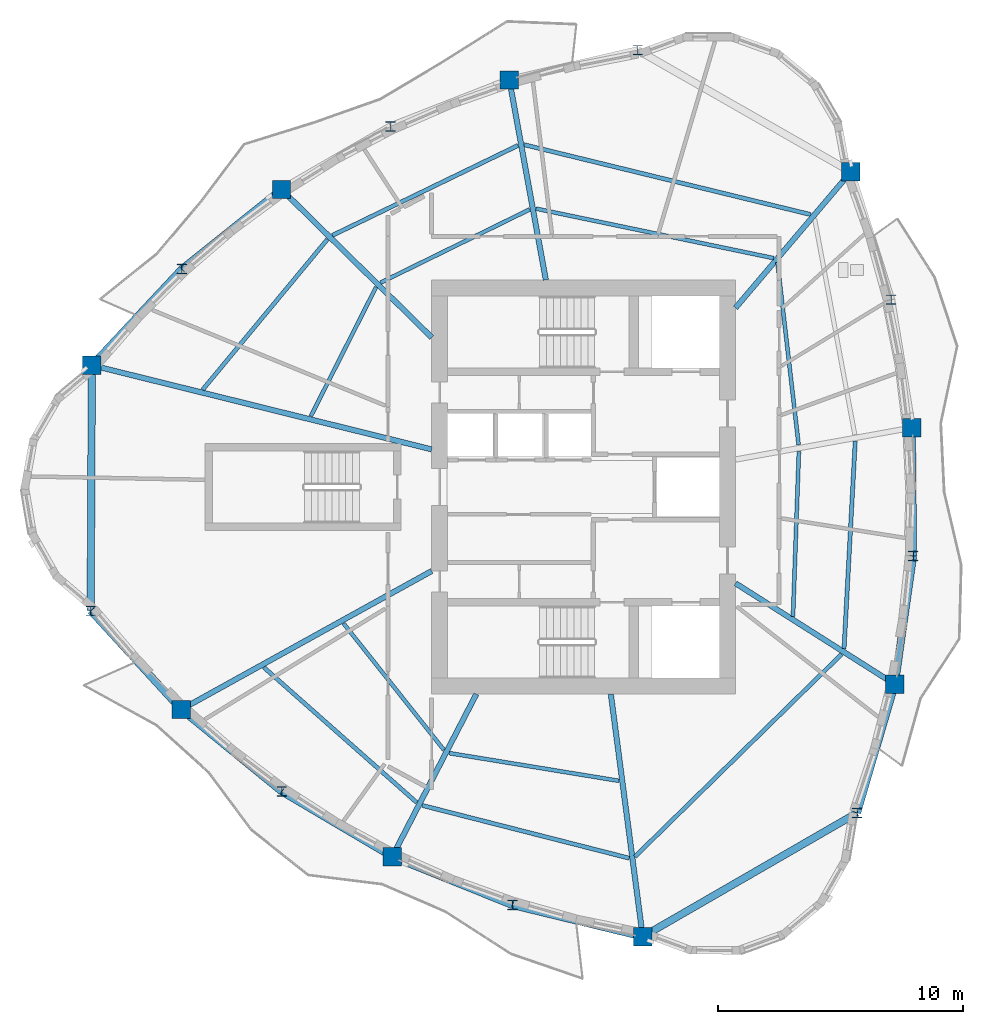
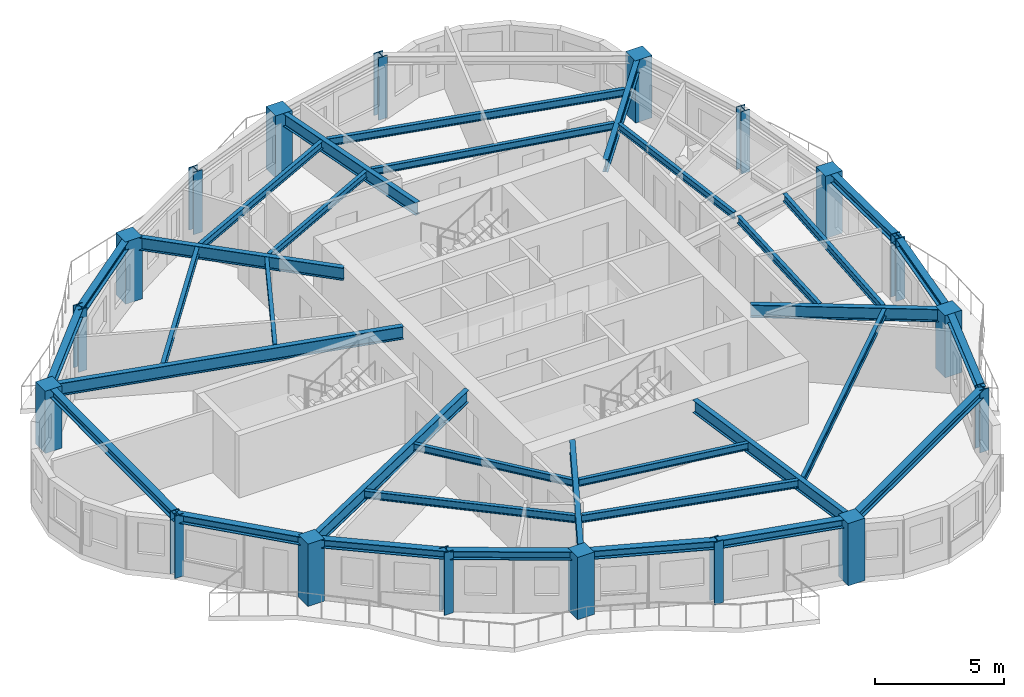
# One storey, part 1 of 12: 34 beams, 18 columns.
"""IFC4 building model written with IfcOpenShell, lengths in metres."""

from ifc_helpers import new_model, si_unit, direction, frame, origin, origin_2d, place, context, subcontext, project, spatial, rectangle, i_section, extrude, source, transform, mapped, material, material_profile, profile_set, type_object, element, save


model = new_model("IFC4")

# Units and contexts
model_context = context("Model", 3, precision=1e-05, world=origin(), true_north=direction((0.0, 1.0)))
body_context = subcontext(model_context, "Body", "Model", "MODEL_VIEW")
ifc_project = project(units=[si_unit("LENGTHUNIT", "METRE"), si_unit("AREAUNIT", "SQUARE_METRE"), si_unit("VOLUMEUNIT", "CUBIC_METRE"), si_unit("PLANEANGLEUNIT", "RADIAN"), si_unit("MASSUNIT", "GRAM", prefix="KILO")], contexts=[model_context])

# Site, building, storey
site_placement = place(None, origin())
site = spatial("IfcSite", under=ifc_project, at=site_placement, CompositionType="ELEMENT")
building_placement = place(site_placement, origin())
building = spatial("IfcBuilding", under=site, at=building_placement, Name="Qafzar Sky-Pleat Residences", CompositionType="ELEMENT")
storey_placement = place(building_placement, frame((0.0, 0.0, 171.39990234375)))
storey = spatial("IfcBuildingStorey", under=building, at=storey_placement, Name="L51", CompositionType="ELEMENT", Elevation=171.39990234375)

# Columns
ifc_material_1 = material(Name="Concrete C60/75", Category="concrete")
ifc_material_profile_1 = material_profile(ifc_material_1, rectangle(XDim=0.75, YDim=0.75, at=origin_2d()), Name="RC 750x750")
ifc_profile_set_1 = profile_set([ifc_material_profile_1], Name="Concrete C60/75")
column_type_1 = type_object("IfcColumnType", Name="COL-RC-750", PredefinedType="COLUMN", material=ifc_profile_set_1)
shared_shape_1 = source(origin(), body_context, "Body", "SweptSolid", [
    extrude(rectangle(XDim=0.75, YDim=0.75, at=origin_2d()), origin(), (0.0, 0.0, 1.0), 2.9501953125),
])
for number, where, z_axis, x_axis, name in (
    (1, (10.283203125, 30.967041015625, 0.0), (0.0, 0.0, 1.0), (1.0, 0.0, 0.0), "L51 Perimeter Mega Column 1"),
    (2, (13.931640625, 16.920166015625, 0.0), (0.0, 0.0, 1.0), (1.0, 0.0, 0.0), "L51 Perimeter Mega Column 3"),
    (3, (22.5380859375, 10.91552734375, 0.0), (0.0, 0.0, 1.0), (1.0, 0.0, 0.0), "L51 Perimeter Mega Column 5"),
    (4, (32.761962890625, 7.650390625, 0.0), (0.0, 0.0, 1.0), (1.0, 0.0, 0.0), "L51 Perimeter Mega Column 7"),
    (5, (43.050048828125, 17.948486328125, 0.0), (0.0, 0.0, 1.0), (1.0, 0.0, 0.0), "L51 Perimeter Mega Column 9"),
    (6, (43.74365234375, 28.419677734375, 0.0), (0.0, 0.0, 1.0), (1.0, 0.0, 0.0), "L51 Perimeter Mega Column 11"),
    (7, (41.25634765625, 38.860107421875, 0.0), (0.0, 0.0, 1.0), (1.0, 0.0, 0.0), "L51 Perimeter Mega Column 13"),
    (8, (27.320068359375, 42.60888671875, 0.0), (0.0, 0.0, 1.0), (1.0, 0.0, 0.0), "L51 Perimeter Mega Column 15"),
    (9, (18.02001953125, 38.142333984375, 0.0), (0.0, 0.0, 1.0), (1.0, 0.0, 0.0), "L51 Perimeter Mega Column 17"),
):
    element("IfcColumn", number, at=place(storey_placement, frame(where, z_axis=z_axis, x_axis=x_axis)), inside=storey, type_object=column_type_1, Name=name, PredefinedType="COLUMN", context=body_context, shape_type="MappedRepresentation", body=[
        mapped(shared_shape_1, transform((0.0, 0.0, 0.0), x_axis=(1.0, 0.0, 0.0), y_axis=(0.0, 1.0, 0.0), z_axis=(0.0, 0.0, 1.0), scale=1.0)),
    ])
ifc_material_2 = material(Name="Steel S355", Category="steel")
ifc_material_profile_2 = material_profile(ifc_material_2, i_section(OverallWidth=0.40087890625, OverallDepth=0.39892578125, WebThickness=0.02294921875, FlangeThickness=0.035888671875, FilletRadius=0.014892578125, at=origin_2d()), Name="HD 400x314")
ifc_profile_set_2 = profile_set([ifc_material_profile_2], Name="Steel S355")
column_type_2 = type_object("IfcColumnType", Name="COL-STL-HD314", PredefinedType="PILASTER", material=ifc_profile_set_2)
shared_shape_2 = source(origin(), body_context, "Body", "SweptSolid", [
    extrude(i_section(OverallWidth=0.40087890625, OverallDepth=0.39892578125, WebThickness=0.02294921875, FlangeThickness=0.035888671875, FilletRadius=0.014892578125, at=origin_2d()), origin(), (0.0, 0.0, 1.0), 2.9501953125),
])
for number, where, z_axis, x_axis, name in (
    (10, (10.234619140625, 20.94970703125, 0.0), (0.0, 0.0, 1.0), (1.0, 0.0, 0.0), "L51 Perimeter Mega Column 2"),
    (11, (18.03271484375, 13.575439453125, 0.0), (0.0, 0.0, 1.0), (1.0, 0.0, 0.0), "L51 Perimeter Mega Column 4"),
    (12, (27.447998046875, 8.940673828125, 0.0), (0.0, 0.0, 1.0), (1.0, 0.0, 0.0), "L51 Perimeter Mega Column 6"),
    (13, (41.51025390625, 12.701171875, 0.0), (0.0, 0.0, 1.0), (1.0, 0.0, 0.0), "L51 Perimeter Mega Column 8"),
    (14, (43.79443359375, 23.18798828125, 0.0), (0.0, 0.0, 1.0), (1.0, 0.0, 0.0), "L51 Perimeter Mega Column 10"),
    (15, (42.897705078125, 33.643798828125, 0.0), (0.0, 0.0, 1.0), (1.0, 0.0, 0.0), "L51 Perimeter Mega Column 12"),
    (16, (32.556640625, 43.82666015625, 0.0), (0.0, 0.0, 1.0), (1.0, 0.0, 0.0), "L51 Perimeter Mega Column 14"),
    (17, (22.474609375, 40.714111328125, 0.0), (0.0, 0.0, 1.0), (1.0, 0.0, 0.0), "L51 Perimeter Mega Column 16"),
    (18, (13.9560546875, 34.893310546875, 0.0), (0.0, 0.0, 1.0), (1.0, 0.0, 0.0), "L51 Perimeter Mega Column 18"),
):
    element("IfcColumn", number, at=place(storey_placement, frame(where, z_axis=z_axis, x_axis=x_axis)), inside=storey, type_object=column_type_2, Name=name, PredefinedType="PILASTER", context=body_context, shape_type="MappedRepresentation", body=[
        mapped(shared_shape_2, transform((0.0, 0.0, 0.0), x_axis=(1.0, 0.0, 0.0), y_axis=(0.0, 1.0, 0.0), z_axis=(0.0, 0.0, 1.0), scale=1.0)),
    ])

# Beams
ifc_material_profile_3 = material_profile(ifc_material_2, i_section(OverallWidth=0.300048828125, OverallDepth=0.39990234375, WebThickness=0.013427734375, FlangeThickness=0.02392578125, FilletRadius=0.027099609375, at=origin_2d()), Name="HEB 400")
ifc_profile_set_3 = profile_set([ifc_material_profile_3], Name="Steel S355")
beam_type_1 = type_object("IfcBeamType", Name="BM-SPAN-HEB400", PredefinedType="SPANDREL", material=ifc_profile_set_3)
shared_shape_3 = source(origin(), body_context, "Body", "SweptSolid", [
    extrude(i_section(OverallWidth=0.300048828125, OverallDepth=0.39990234375, WebThickness=0.013427734375, FlangeThickness=0.02392578125, FilletRadius=0.027099609375, at=origin_2d()), origin(), (0.0, 0.0, 1.0), 10.1015625),
])
beam_1_placement = place(storey_placement, frame((32.761962890625, 7.650390625, 2.748046875), z_axis=(0.866027415153, 0.499996516191, 0.0), x_axis=(-0.499996516191, 0.866027415153, 0.0)))
element("IfcBeam", 19, at=beam_1_placement, inside=storey, type_object=beam_type_1, Name="L51 Perimeter Spandrel Beam 7", PredefinedType="SPANDREL", context=body_context, shape_type="MappedRepresentation", body=[
    mapped(shared_shape_3, transform((0.0, 0.0, 0.0), x_axis=(1.0, 0.0, 0.0), y_axis=(0.0, 1.0, 0.0), z_axis=(0.0, 0.0, 1.0), scale=1.0)),
])
shared_shape_4 = source(origin(), body_context, "Body", "SweptSolid", [
    extrude(i_section(OverallWidth=0.300048828125, OverallDepth=0.39990234375, WebThickness=0.013427734375, FlangeThickness=0.02392578125, FilletRadius=0.027099609375, at=origin_2d()), origin(), (0.0, 0.0, 1.0), 10.017333984375),
])
beam_2_placement = place(storey_placement, frame((10.283203125, 30.967041015625, 2.748046875), z_axis=(-0.004849934429, -0.999988238999, 0.0), x_axis=(0.999988238999, -0.004849934429, 0.0)))
element("IfcBeam", 20, at=beam_2_placement, inside=storey, type_object=beam_type_1, Name="L51 Perimeter Spandrel Beam 1", PredefinedType="SPANDREL", context=body_context, shape_type="MappedRepresentation", body=[
    mapped(shared_shape_4, transform((0.0, 0.0, 0.0), x_axis=(1.0, 0.0, 0.0), y_axis=(0.0, 1.0, 0.0), z_axis=(0.0, 0.0, 1.0), scale=1.0)),
])
shared_shape_5 = source(origin(), body_context, "Body", "SweptSolid", [
    extrude(i_section(OverallWidth=0.300048828125, OverallDepth=0.39990234375, WebThickness=0.013427734375, FlangeThickness=0.02392578125, FilletRadius=0.027099609375, at=origin_2d()), origin(), (0.0, 0.0, 1.0), 5.468505859375),
])
for number, where, z_axis, x_axis, name in (
    (21, (10.234619140625, 20.94970703125, 2.748046875), (0.676050045545, -0.736855709022, 0.0), (0.736855709022, 0.676050045545, 0.0), "L51 Perimeter Spandrel Beam 2"),
    (22, (41.51025390625, 12.701171875, 2.748046875), (0.281571675808, 0.959540197898, 0.0), (-0.959540197898, 0.281571675808, 0.0), "L51 Perimeter Spandrel Beam 8"),
):
    element("IfcBeam", number, at=place(storey_placement, frame(where, z_axis=z_axis, x_axis=x_axis)), inside=storey, type_object=beam_type_1, Name=name, PredefinedType="SPANDREL", context=body_context, shape_type="MappedRepresentation", body=[
        mapped(shared_shape_5, transform((0.0, 0.0, 0.0), x_axis=(1.0, 0.0, 0.0), y_axis=(0.0, 1.0, 0.0), z_axis=(0.0, 0.0, 1.0), scale=1.0)),
    ])
shared_shape_6 = source(origin(), body_context, "Body", "SweptSolid", [
    extrude(i_section(OverallWidth=0.300048828125, OverallDepth=0.39990234375, WebThickness=0.013427734375, FlangeThickness=0.02392578125, FilletRadius=0.027099609375, at=origin_2d()), origin(), (0.0, 0.0, 1.0), 5.2919921875),
])
beam_3_placement = place(storey_placement, frame((13.931640625, 16.920166015625, 2.748046875), z_axis=(0.774947075878, -0.632026130463, 0.0), x_axis=(0.632026130463, 0.774947075878, 0.0)))
element("IfcBeam", 23, at=beam_3_placement, inside=storey, type_object=beam_type_1, Name="L51 Perimeter Spandrel Beam 3", PredefinedType="SPANDREL", context=body_context, shape_type="MappedRepresentation", body=[
    mapped(shared_shape_6, transform((0.0, 0.0, 0.0), x_axis=(1.0, 0.0, 0.0), y_axis=(0.0, 1.0, 0.0), z_axis=(0.0, 0.0, 1.0), scale=1.0)),
])
shared_shape_7 = source(origin(), body_context, "Body", "SweptSolid", [
    extrude(i_section(OverallWidth=0.300048828125, OverallDepth=0.39990234375, WebThickness=0.013427734375, FlangeThickness=0.02392578125, FilletRadius=0.027099609375, at=origin_2d()), origin(), (0.0, 0.0, 1.0), 5.23193359375),
])
for number, where, z_axis, x_axis, name in (
    (24, (18.03271484375, 13.575439453125, 2.748046875), (0.861123406865, -0.508395985575, 0.0), (0.508395985575, 0.861123406865, 0.0), "L51 Perimeter Spandrel Beam 4"),
    (25, (43.79443359375, 23.18798828125, 2.748046875), (-0.009706015319, 0.999952895524, 0.0), (-0.999952895524, -0.009706015319, 0.0), "L51 Perimeter Spandrel Beam 10"),
):
    element("IfcBeam", number, at=place(storey_placement, frame(where, z_axis=z_axis, x_axis=x_axis)), inside=storey, type_object=beam_type_1, Name=name, PredefinedType="SPANDREL", context=body_context, shape_type="MappedRepresentation", body=[
        mapped(shared_shape_7, transform((0.0, 0.0, 0.0), x_axis=(1.0, 0.0, 0.0), y_axis=(0.0, 1.0, 0.0), z_axis=(0.0, 0.0, 1.0), scale=1.0)),
    ])
shared_shape_8 = source(origin(), body_context, "Body", "SweptSolid", [
    extrude(i_section(OverallWidth=0.300048828125, OverallDepth=0.39990234375, WebThickness=0.013427734375, FlangeThickness=0.02392578125, FilletRadius=0.027099609375, at=origin_2d()), origin(), (0.0, 0.0, 1.0), 5.292236328125),
])
for number, where, z_axis, x_axis, name in (
    (26, (22.5380859375, 10.91552734375, 2.748046875), (0.927765514631, -0.373163703836, 0.0), (0.373163703836, 0.927765514631, 0.0), "L51 Perimeter Spandrel Beam 5"),
    (27, (43.050048828125, 17.948486328125, 2.748046875), (0.140659198893, 0.990058073937, 0.0), (-0.990058073937, 0.140659198893, 0.0), "L51 Perimeter Spandrel Beam 9"),
):
    element("IfcBeam", number, at=place(storey_placement, frame(where, z_axis=z_axis, x_axis=x_axis)), inside=storey, type_object=beam_type_1, Name=name, PredefinedType="SPANDREL", context=body_context, shape_type="MappedRepresentation", body=[
        mapped(shared_shape_8, transform((0.0, 0.0, 0.0), x_axis=(1.0, 0.0, 0.0), y_axis=(0.0, 1.0, 0.0), z_axis=(0.0, 0.0, 1.0), scale=1.0)),
    ])
shared_shape_9 = source(origin(), body_context, "Body", "SweptSolid", [
    extrude(i_section(OverallWidth=0.300048828125, OverallDepth=0.39990234375, WebThickness=0.013427734375, FlangeThickness=0.02392578125, FilletRadius=0.027099609375, at=origin_2d()), origin(), (0.0, 0.0, 1.0), 5.46826171875),
])
beam_4_placement = place(storey_placement, frame((27.447998046875, 8.940673828125, 2.748046875), z_axis=(0.971764234229, -0.235953963884, 0.0), x_axis=(0.235953963884, 0.971764234229, 0.0)))
element("IfcBeam", 28, at=beam_4_placement, inside=storey, type_object=beam_type_1, Name="L51 Perimeter Spandrel Beam 6", PredefinedType="SPANDREL", context=body_context, shape_type="MappedRepresentation", body=[
    mapped(shared_shape_9, transform((0.0, 0.0, 0.0), x_axis=(1.0, 0.0, 0.0), y_axis=(0.0, 1.0, 0.0), z_axis=(0.0, 0.0, 1.0), scale=1.0)),
])
shared_shape_10 = source(origin(), body_context, "Body", "SweptSolid", [
    extrude(i_section(OverallWidth=0.300048828125, OverallDepth=0.39990234375, WebThickness=0.013427734375, FlangeThickness=0.02392578125, FilletRadius=0.027099609375, at=origin_2d()), origin(), (0.0, 0.0, 1.0), 5.203125),
])
beam_5_placement = place(storey_placement, frame((18.02001953125, 38.142333984375, 2.748046875), z_axis=(-0.781070191817, -0.624443236375, 0.0), x_axis=(0.624443236375, -0.781070191817, 0.0)))
element("IfcBeam", 29, at=beam_5_placement, inside=storey, type_object=beam_type_1, Name="L51 Perimeter Spandrel Beam 17", PredefinedType="SPANDREL", context=body_context, shape_type="MappedRepresentation", body=[
    mapped(shared_shape_10, transform((0.0, 0.0, 0.0), x_axis=(1.0, 0.0, 0.0), y_axis=(0.0, 1.0, 0.0), z_axis=(0.0, 0.0, 1.0), scale=1.0)),
])
shared_shape_11 = source(origin(), body_context, "Body", "SweptSolid", [
    extrude(i_section(OverallWidth=0.300048828125, OverallDepth=0.39990234375, WebThickness=0.013427734375, FlangeThickness=0.02392578125, FilletRadius=0.027099609375, at=origin_2d()), origin(), (0.0, 0.0, 1.0), 5.37646484375),
])
beam_6_placement = place(storey_placement, frame((13.9560546875, 34.893310546875, 2.748046875), z_axis=(-0.683146192025, -0.730281644519, 0.0), x_axis=(0.730281644519, -0.683146192025, 0.0)))
element("IfcBeam", 30, at=beam_6_placement, inside=storey, type_object=beam_type_1, Name="L51 Perimeter Spandrel Beam 18", PredefinedType="SPANDREL", context=body_context, shape_type="MappedRepresentation", body=[
    mapped(shared_shape_11, transform((0.0, 0.0, 0.0), x_axis=(1.0, 0.0, 0.0), y_axis=(0.0, 1.0, 0.0), z_axis=(0.0, 0.0, 1.0), scale=1.0)),
])
ifc_material_profile_4 = material_profile(ifc_material_2, i_section(OverallWidth=0.219970703125, OverallDepth=0.60009765625, WebThickness=0.011962890625, FlangeThickness=0.01904296875, FilletRadius=0.02392578125, at=origin_2d()), Name="IPE 600")
ifc_profile_set_4 = profile_set([ifc_material_profile_4], Name="Steel S355")
beam_type_2 = type_object("IfcBeamType", Name="BM-SEC-IPE600", PredefinedType="BEAM", material=ifc_profile_set_4)
shared_shape_12 = source(origin(), body_context, "Body", "SweptSolid", [
    extrude(i_section(OverallWidth=0.219970703125, OverallDepth=0.60009765625, WebThickness=0.011962890625, FlangeThickness=0.01904296875, FilletRadius=0.02392578125, at=origin_2d()), origin(), (0.0, 0.0, 1.0), 14.28515625),
])
beam_7_placement = place(storey_placement, frame((10.283203125, 30.967041015625, 2.648193359375), z_axis=(0.97070485886, -0.24027500283, 0.0), x_axis=(0.24027500283, 0.97070485886, 0.0)))
element("IfcBeam", 31, at=beam_7_placement, inside=storey, type_object=beam_type_2, Name="L51 Radial Floor Girder 1", PredefinedType="BEAM", context=body_context, shape_type="MappedRepresentation", body=[
    mapped(shared_shape_12, transform((0.0, 0.0, 0.0), x_axis=(1.0, 0.0, 0.0), y_axis=(0.0, 1.0, 0.0), z_axis=(0.0, 0.0, 1.0), scale=1.0)),
])
shared_shape_13 = source(origin(), body_context, "Body", "SweptSolid", [
    extrude(i_section(OverallWidth=0.219970703125, OverallDepth=0.60009765625, WebThickness=0.011962890625, FlangeThickness=0.01904296875, FilletRadius=0.02392578125, at=origin_2d()), origin(), (0.0, 0.0, 1.0), 11.6767578125),
])
beam_8_placement = place(storey_placement, frame((13.931640625, 16.920166015625, 2.648193359375), z_axis=(0.875089622608, 0.483960899664, 0.0), x_axis=(-0.483960899664, 0.875089622608, 0.0)))
element("IfcBeam", 32, at=beam_8_placement, inside=storey, type_object=beam_type_2, Name="L51 Radial Floor Girder 3", PredefinedType="BEAM", context=body_context, shape_type="MappedRepresentation", body=[
    mapped(shared_shape_13, transform((0.0, 0.0, 0.0), x_axis=(1.0, 0.0, 0.0), y_axis=(0.0, 1.0, 0.0), z_axis=(0.0, 0.0, 1.0), scale=1.0)),
])
shared_shape_14 = source(origin(), body_context, "Body", "SweptSolid", [
    extrude(i_section(OverallWidth=0.219970703125, OverallDepth=0.60009765625, WebThickness=0.011962890625, FlangeThickness=0.01904296875, FilletRadius=0.02392578125, at=origin_2d()), origin(), (0.0, 0.0, 1.0), 7.471435546875),
])
beam_9_placement = place(storey_placement, frame((22.5380859375, 10.91552734375, 2.648193359375), z_axis=(0.459885995206, 0.887977967865, 0.0), x_axis=(-0.887977967865, 0.459885995206, 0.0)))
element("IfcBeam", 33, at=beam_9_placement, inside=storey, type_object=beam_type_2, Name="L51 Radial Floor Girder 5", PredefinedType="BEAM", context=body_context, shape_type="MappedRepresentation", body=[
    mapped(shared_shape_14, transform((0.0, 0.0, 0.0), x_axis=(1.0, 0.0, 0.0), y_axis=(0.0, 1.0, 0.0), z_axis=(0.0, 0.0, 1.0), scale=1.0)),
])
shared_shape_15 = source(origin(), body_context, "Body", "SweptSolid", [
    extrude(i_section(OverallWidth=0.219970703125, OverallDepth=0.60009765625, WebThickness=0.011962890625, FlangeThickness=0.01904296875, FilletRadius=0.02392578125, at=origin_2d()), origin(), (0.0, 0.0, 1.0), 9.98486328125),
])
beam_10_placement = place(storey_placement, frame((32.761962890625, 7.650390625, 2.648193359375), z_axis=(-0.13032484857, 0.99147134797, 0.0), x_axis=(-0.99147134797, -0.13032484857, 0.0)))
element("IfcBeam", 34, at=beam_10_placement, inside=storey, type_object=beam_type_2, Name="L51 Radial Floor Girder 7", PredefinedType="BEAM", context=body_context, shape_type="MappedRepresentation", body=[
    mapped(shared_shape_15, transform((0.0, 0.0, 0.0), x_axis=(1.0, 0.0, 0.0), y_axis=(0.0, 1.0, 0.0), z_axis=(0.0, 0.0, 1.0), scale=1.0)),
])
shared_shape_16 = source(origin(), body_context, "Body", "SweptSolid", [
    extrude(i_section(OverallWidth=0.219970703125, OverallDepth=0.60009765625, WebThickness=0.011962890625, FlangeThickness=0.01904296875, FilletRadius=0.02392578125, at=origin_2d()), origin(), (0.0, 0.0, 1.0), 7.6962890625),
])
beam_11_placement = place(storey_placement, frame((43.050048828125, 17.948486328125, 2.648193359375), z_axis=(-0.844573308828, 0.535439936888, 0.0), x_axis=(-0.535439936888, -0.844573308828, 0.0)))
element("IfcBeam", 35, at=beam_11_placement, inside=storey, type_object=beam_type_2, Name="L51 Radial Floor Girder 9", PredefinedType="BEAM", context=body_context, shape_type="MappedRepresentation", body=[
    mapped(shared_shape_16, transform((0.0, 0.0, 0.0), x_axis=(1.0, 0.0, 0.0), y_axis=(0.0, 1.0, 0.0), z_axis=(0.0, 0.0, 1.0), scale=1.0)),
])
shared_shape_17 = source(origin(), body_context, "Body", "SweptSolid", [
    extrude(i_section(OverallWidth=0.219970703125, OverallDepth=0.60009765625, WebThickness=0.011962890625, FlangeThickness=0.01904296875, FilletRadius=0.02392578125, at=origin_2d()), origin(), (0.0, 0.0, 1.0), 7.2763671875),
])
beam_12_placement = place(storey_placement, frame((41.25634765625, 38.860107421875, 2.648193359375), z_axis=(-0.64678412208, -0.76267312751, 0.0), x_axis=(0.76267312751, -0.64678412208, 0.0)))
element("IfcBeam", 36, at=beam_12_placement, inside=storey, type_object=beam_type_2, Name="L51 Radial Floor Girder 13", PredefinedType="BEAM", context=body_context, shape_type="MappedRepresentation", body=[
    mapped(shared_shape_17, transform((0.0, 0.0, 0.0), x_axis=(1.0, 0.0, 0.0), y_axis=(0.0, 1.0, 0.0), z_axis=(0.0, 0.0, 1.0), scale=1.0)),
])
shared_shape_18 = source(origin(), body_context, "Body", "SweptSolid", [
    extrude(i_section(OverallWidth=0.219970703125, OverallDepth=0.60009765625, WebThickness=0.011962890625, FlangeThickness=0.01904296875, FilletRadius=0.02392578125, at=origin_2d()), origin(), (0.0, 0.0, 1.0), 8.293701171875),
])
beam_13_placement = place(storey_placement, frame((27.320068359375, 42.60888671875, 2.648193359375), z_axis=(0.17947862419, -0.983761873351, 0.0), x_axis=(0.983761873351, 0.17947862419, 0.0)))
element("IfcBeam", 37, at=beam_13_placement, inside=storey, type_object=beam_type_2, Name="L51 Radial Floor Girder 15", PredefinedType="BEAM", context=body_context, shape_type="MappedRepresentation", body=[
    mapped(shared_shape_18, transform((0.0, 0.0, 0.0), x_axis=(1.0, 0.0, 0.0), y_axis=(0.0, 1.0, 0.0), z_axis=(0.0, 0.0, 1.0), scale=1.0)),
])
shared_shape_19 = source(origin(), body_context, "Body", "SweptSolid", [
    extrude(i_section(OverallWidth=0.219970703125, OverallDepth=0.60009765625, WebThickness=0.011962890625, FlangeThickness=0.01904296875, FilletRadius=0.02392578125, at=origin_2d()), origin(), (0.0, 0.0, 1.0), 8.603271484375),
])
beam_14_placement = place(storey_placement, frame((18.02001953125, 38.142333984375, 2.648193359375), z_axis=(0.712506139555, -0.701665875682, 0.0), x_axis=(0.701665875682, 0.712506139555, 0.0)))
element("IfcBeam", 38, at=beam_14_placement, inside=storey, type_object=beam_type_2, Name="L51 Radial Floor Girder 17", PredefinedType="BEAM", context=body_context, shape_type="MappedRepresentation", body=[
    mapped(shared_shape_19, transform((0.0, 0.0, 0.0), x_axis=(1.0, 0.0, 0.0), y_axis=(0.0, 1.0, 0.0), z_axis=(0.0, 0.0, 1.0), scale=1.0)),
])
ifc_material_profile_5 = material_profile(ifc_material_2, i_section(OverallWidth=0.169921875, OverallDepth=0.360107421875, WebThickness=0.008056640625, FlangeThickness=0.0126953125, FilletRadius=0.01806640625, at=origin_2d()), Name="IPE 360")
ifc_profile_set_5 = profile_set([ifc_material_profile_5], Name="Steel S355")
beam_type_3 = type_object("IfcBeamType", Name="BM-JST-IPE360", PredefinedType="JOIST", material=ifc_profile_set_5)
shared_shape_20 = source(origin(), body_context, "Body", "SweptSolid", [
    extrude(i_section(OverallWidth=0.169921875, OverallDepth=0.360107421875, WebThickness=0.008056640625, FlangeThickness=0.0126953125, FilletRadius=0.01806640625, at=origin_2d()), origin(), (0.0, 0.0, 1.0), 8.32080078125),
])
beam_15_placement = place(storey_placement, frame((17.302490234375, 18.638916015625, 2.76806640625), z_axis=(0.749224453308, -0.662316177189, 0.0), x_axis=(0.662316177189, 0.749224453308, 0.0)))
element("IfcBeam", 39, at=beam_15_placement, inside=storey, type_object=beam_type_3, Name="L51 Outer Secondary Floor Joist 2", PredefinedType="JOIST", context=body_context, shape_type="MappedRepresentation", body=[
    mapped(shared_shape_20, transform((0.0, 0.0, 0.0), x_axis=(1.0, 0.0, 0.0), y_axis=(0.0, 1.0, 0.0), z_axis=(0.0, 0.0, 1.0), scale=1.0)),
])
shared_shape_21 = source(origin(), body_context, "Body", "SweptSolid", [
    extrude(i_section(OverallWidth=0.169921875, OverallDepth=0.360107421875, WebThickness=0.008056640625, FlangeThickness=0.0126953125, FilletRadius=0.01806640625, at=origin_2d()), origin(), (0.0, 0.0, 1.0), 8.71630859375),
])
beam_16_placement = place(storey_placement, frame((23.7685546875, 13.00537109375, 2.76806640625), z_axis=(0.968989948873, -0.247100139585, 0.0), x_axis=(0.247100139585, 0.968989948873, 0.0)))
element("IfcBeam", 40, at=beam_16_placement, inside=storey, type_object=beam_type_3, Name="L51 Outer Secondary Floor Joist 3", PredefinedType="JOIST", context=body_context, shape_type="MappedRepresentation", body=[
    mapped(shared_shape_21, transform((0.0, 0.0, 0.0), x_axis=(1.0, 0.0, 0.0), y_axis=(0.0, 1.0, 0.0), z_axis=(0.0, 0.0, 1.0), scale=1.0)),
])
shared_shape_22 = source(origin(), body_context, "Body", "SweptSolid", [
    extrude(i_section(OverallWidth=0.169921875, OverallDepth=0.360107421875, WebThickness=0.008056640625, FlangeThickness=0.0126953125, FilletRadius=0.01806640625, at=origin_2d()), origin(), (0.0, 0.0, 1.0), 11.803466796875),
])
beam_17_placement = place(storey_placement, frame((32.44189453125, 10.91259765625, 2.76806640625), z_axis=(0.714339800736, 0.699799006205, 0.0), x_axis=(-0.699799006205, 0.714339800736, 0.0)))
element("IfcBeam", 41, at=beam_17_placement, inside=storey, type_object=beam_type_3, Name="L51 Outer Secondary Floor Joist 4", PredefinedType="JOIST", context=body_context, shape_type="MappedRepresentation", body=[
    mapped(shared_shape_22, transform((0.0, 0.0, 0.0), x_axis=(1.0, 0.0, 0.0), y_axis=(0.0, 1.0, 0.0), z_axis=(0.0, 0.0, 1.0), scale=1.0)),
])
shared_shape_23 = source(origin(), body_context, "Body", "SweptSolid", [
    extrude(i_section(OverallWidth=0.169921875, OverallDepth=0.360107421875, WebThickness=0.008056640625, FlangeThickness=0.0126953125, FilletRadius=0.01806640625, at=origin_2d()), origin(), (0.0, 0.0, 1.0), 8.479248046875),
])
beam_18_placement = place(storey_placement, frame((40.977294921875, 19.40185546875, 2.76806640625), z_axis=(0.053899219297, 0.998546380575, 0.0), x_axis=(-0.998546380575, 0.053899219297, 0.0)))
element("IfcBeam", 42, at=beam_18_placement, inside=storey, type_object=beam_type_3, Name="L51 Outer Secondary Floor Joist 5", PredefinedType="JOIST", context=body_context, shape_type="MappedRepresentation", body=[
    mapped(shared_shape_23, transform((0.0, 0.0, 0.0), x_axis=(1.0, 0.0, 0.0), y_axis=(0.0, 1.0, 0.0), z_axis=(0.0, 0.0, 1.0), scale=1.0)),
])
shared_shape_24 = source(origin(), body_context, "Body", "SweptSolid", [
    extrude(i_section(OverallWidth=0.169921875, OverallDepth=0.360107421875, WebThickness=0.008056640625, FlangeThickness=0.0126953125, FilletRadius=0.01806640625, at=origin_2d()), origin(), (0.0, 0.0, 1.0), 12.033935546875),
])
beam_19_placement = place(storey_placement, frame((39.619140625, 37.1162109375, 2.76806640625), z_axis=(-0.971554160577, 0.23681746782, 0.0), x_axis=(-0.23681746782, -0.971554160577, 0.0)))
element("IfcBeam", 43, at=beam_19_placement, inside=storey, type_object=beam_type_3, Name="L51 Outer Secondary Floor Joist 7", PredefinedType="JOIST", context=body_context, shape_type="MappedRepresentation", body=[
    mapped(shared_shape_24, transform((0.0, 0.0, 0.0), x_axis=(1.0, 0.0, 0.0), y_axis=(0.0, 1.0, 0.0), z_axis=(0.0, 0.0, 1.0), scale=1.0)),
])
shared_shape_25 = source(origin(), body_context, "Body", "SweptSolid", [
    extrude(i_section(OverallWidth=0.169921875, OverallDepth=0.360107421875, WebThickness=0.008056640625, FlangeThickness=0.0126953125, FilletRadius=0.01806640625, at=origin_2d()), origin(), (0.0, 0.0, 1.0), 8.414306640625),
])
beam_20_placement = place(storey_placement, frame((27.6748046875, 39.939208984375, 2.76806640625), z_axis=(-0.89987208616, -0.436153904661, 0.0), x_axis=(0.436153904661, -0.89987208616, 0.0)))
element("IfcBeam", 44, at=beam_20_placement, inside=storey, type_object=beam_type_3, Name="L51 Outer Secondary Floor Joist 8", PredefinedType="JOIST", context=body_context, shape_type="MappedRepresentation", body=[
    mapped(shared_shape_25, transform((0.0, 0.0, 0.0), x_axis=(1.0, 0.0, 0.0), y_axis=(0.0, 1.0, 0.0), z_axis=(0.0, 0.0, 1.0), scale=1.0)),
])
shared_shape_26 = source(origin(), body_context, "Body", "SweptSolid", [
    extrude(i_section(OverallWidth=0.169921875, OverallDepth=0.360107421875, WebThickness=0.008056640625, FlangeThickness=0.0126953125, FilletRadius=0.01806640625, at=origin_2d()), origin(), (0.0, 0.0, 1.0), 7.9697265625),
])
beam_21_placement = place(storey_placement, frame((19.895263671875, 36.106689453125, 2.76806640625), z_axis=(-0.638456278061, -0.769658093574, 0.0), x_axis=(0.769658093574, -0.638456278061, 0.0)))
element("IfcBeam", 45, at=beam_21_placement, inside=storey, type_object=beam_type_3, Name="L51 Outer Secondary Floor Joist 9", PredefinedType="JOIST", context=body_context, shape_type="MappedRepresentation", body=[
    mapped(shared_shape_26, transform((0.0, 0.0, 0.0), x_axis=(1.0, 0.0, 0.0), y_axis=(0.0, 1.0, 0.0), z_axis=(0.0, 0.0, 1.0), scale=1.0)),
])
ifc_material_profile_6 = material_profile(ifc_material_2, i_section(OverallWidth=0.159912109375, OverallDepth=0.330078125, WebThickness=0.007568359375, FlangeThickness=0.011474609375, FilletRadius=0.01806640625, at=origin_2d()), Name="IPE 330")
ifc_profile_set_6 = profile_set([ifc_material_profile_6], Name="Steel S355")
beam_type_4 = type_object("IfcBeamType", Name="BM-JST-IPE330", PredefinedType="JOIST", material=ifc_profile_set_6)
shared_shape_27 = source(origin(), body_context, "Body", "SweptSolid", [
    extrude(i_section(OverallWidth=0.159912109375, OverallDepth=0.330078125, WebThickness=0.007568359375, FlangeThickness=0.011474609375, FilletRadius=0.01806640625, at=origin_2d()), origin(), (0.0, 0.0, 1.0), 6.59228515625),
])
beam_22_placement = place(storey_placement, frame((20.555419921875, 20.43115234375, 2.783203125), z_axis=(0.621623595357, -0.783316095644, 0.0), x_axis=(0.783316095644, 0.621623595357, 0.0)))
element("IfcBeam", 46, at=beam_22_placement, inside=storey, type_object=beam_type_4, Name="L51 Inner Secondary Floor Joist 2", PredefinedType="JOIST", context=body_context, shape_type="MappedRepresentation", body=[
    mapped(shared_shape_27, transform((0.0, 0.0, 0.0), x_axis=(1.0, 0.0, 0.0), y_axis=(0.0, 1.0, 0.0), z_axis=(0.0, 0.0, 1.0), scale=1.0)),
])
shared_shape_28 = source(origin(), body_context, "Body", "SweptSolid", [
    extrude(i_section(OverallWidth=0.159912109375, OverallDepth=0.330078125, WebThickness=0.007568359375, FlangeThickness=0.011474609375, FilletRadius=0.01806640625, at=origin_2d()), origin(), (0.0, 0.0, 1.0), 7.017333984375),
])
beam_23_placement = place(storey_placement, frame((24.870361328125, 15.139892578125, 2.783203125), z_axis=(0.986901586035, -0.161323462278, 0.0), x_axis=(0.161323462278, 0.986901586035, 0.0)))
element("IfcBeam", 47, at=beam_23_placement, inside=storey, type_object=beam_type_4, Name="L51 Inner Secondary Floor Joist 3", PredefinedType="JOIST", context=body_context, shape_type="MappedRepresentation", body=[
    mapped(shared_shape_28, transform((0.0, 0.0, 0.0), x_axis=(1.0, 0.0, 0.0), y_axis=(0.0, 1.0, 0.0), z_axis=(0.0, 0.0, 1.0), scale=1.0)),
])
shared_shape_29 = source(origin(), body_context, "Body", "SweptSolid", [
    extrude(i_section(OverallWidth=0.159912109375, OverallDepth=0.330078125, WebThickness=0.007568359375, FlangeThickness=0.011474609375, FilletRadius=0.01806640625, at=origin_2d()), origin(), (0.0, 0.0, 1.0), 6.736572265625),
])
beam_24_placement = place(storey_placement, frame((38.894775390625, 20.720703125, 2.783203125), z_axis=(0.035661798481, 0.999363915763, 0.0), x_axis=(-0.999363915763, 0.035661798481, 0.0)))
element("IfcBeam", 48, at=beam_24_placement, inside=storey, type_object=beam_type_4, Name="L51 Inner Secondary Floor Joist 5", PredefinedType="JOIST", context=body_context, shape_type="MappedRepresentation", body=[
    mapped(shared_shape_29, transform((0.0, 0.0, 0.0), x_axis=(1.0, 0.0, 0.0), y_axis=(0.0, 1.0, 0.0), z_axis=(0.0, 0.0, 1.0), scale=1.0)),
])
shared_shape_30 = source(origin(), body_context, "Body", "SweptSolid", [
    extrude(i_section(OverallWidth=0.159912109375, OverallDepth=0.330078125, WebThickness=0.007568359375, FlangeThickness=0.011474609375, FilletRadius=0.01806640625, at=origin_2d()), origin(), (0.0, 0.0, 1.0), 7.502197265625),
])
beam_25_placement = place(storey_placement, frame((39.1240234375, 27.721923828125, 2.783203125), z_axis=(-0.115166331805, 0.993346221626, 0.0), x_axis=(-0.993346221626, -0.115166331805, 0.0)))
element("IfcBeam", 49, at=beam_25_placement, inside=storey, type_object=beam_type_4, Name="L51 Inner Secondary Floor Joist 6", PredefinedType="JOIST", context=body_context, shape_type="MappedRepresentation", body=[
    mapped(shared_shape_30, transform((0.0, 0.0, 0.0), x_axis=(1.0, 0.0, 0.0), y_axis=(0.0, 1.0, 0.0), z_axis=(0.0, 0.0, 1.0), scale=1.0)),
])
shared_shape_31 = source(origin(), body_context, "Body", "SweptSolid", [
    extrude(i_section(OverallWidth=0.159912109375, OverallDepth=0.330078125, WebThickness=0.007568359375, FlangeThickness=0.011474609375, FilletRadius=0.01806640625, at=origin_2d()), origin(), (0.0, 0.0, 1.0), 9.916015625),
])
beam_26_placement = place(storey_placement, frame((38.112060546875, 35.3359375, 2.783203125), z_axis=(-0.978953578117, 0.204083051458, 0.0), x_axis=(-0.204083051458, -0.978953578117, 0.0)))
element("IfcBeam", 50, at=beam_26_placement, inside=storey, type_object=beam_type_4, Name="L51 Inner Secondary Floor Joist 7", PredefinedType="JOIST", context=body_context, shape_type="MappedRepresentation", body=[
    mapped(shared_shape_31, transform((0.0, 0.0, 0.0), x_axis=(1.0, 0.0, 0.0), y_axis=(0.0, 1.0, 0.0), z_axis=(0.0, 0.0, 1.0), scale=1.0)),
])
shared_shape_32 = source(origin(), body_context, "Body", "SweptSolid", [
    extrude(i_section(OverallWidth=0.159912109375, OverallDepth=0.330078125, WebThickness=0.007568359375, FlangeThickness=0.011474609375, FilletRadius=0.01806640625, at=origin_2d()), origin(), (0.0, 0.0, 1.0), 6.78173828125),
])
beam_27_placement = place(storey_placement, frame((28.151611328125, 37.32763671875, 2.783203125), z_axis=(-0.897615302136, -0.440779728858, 0.0), x_axis=(0.440779728858, -0.897615302136, 0.0)))
element("IfcBeam", 51, at=beam_27_placement, inside=storey, type_object=beam_type_4, Name="L51 Inner Secondary Floor Joist 8", PredefinedType="JOIST", context=body_context, shape_type="MappedRepresentation", body=[
    mapped(shared_shape_32, transform((0.0, 0.0, 0.0), x_axis=(1.0, 0.0, 0.0), y_axis=(0.0, 1.0, 0.0), z_axis=(0.0, 0.0, 1.0), scale=1.0)),
])
shared_shape_33 = source(origin(), body_context, "Body", "SweptSolid", [
    extrude(i_section(OverallWidth=0.159912109375, OverallDepth=0.330078125, WebThickness=0.007568359375, FlangeThickness=0.011474609375, FilletRadius=0.01806640625, at=origin_2d()), origin(), (0.0, 0.0, 1.0), 5.90234375),
])
beam_28_placement = place(storey_placement, frame((21.882080078125, 34.158203125, 2.783203125), z_axis=(-0.451196624226, -0.892424566161, 0.0), x_axis=(0.892424566161, -0.451196624226, 0.0)))
element("IfcBeam", 52, at=beam_28_placement, inside=storey, type_object=beam_type_4, Name="L51 Inner Secondary Floor Joist 9", PredefinedType="JOIST", context=body_context, shape_type="MappedRepresentation", body=[
    mapped(shared_shape_33, transform((0.0, 0.0, 0.0), x_axis=(1.0, 0.0, 0.0), y_axis=(0.0, 1.0, 0.0), z_axis=(0.0, 0.0, 1.0), scale=1.0)),
])

save(model, "model.ifc")
